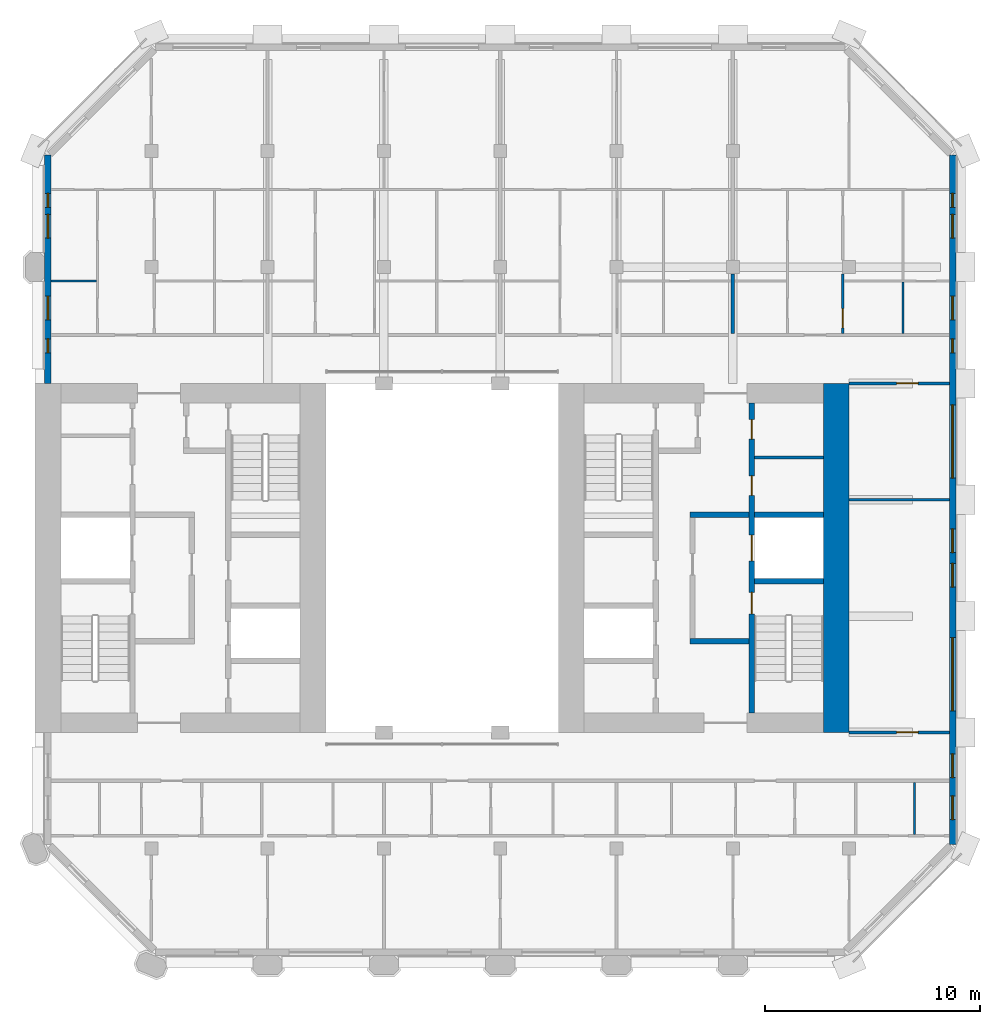
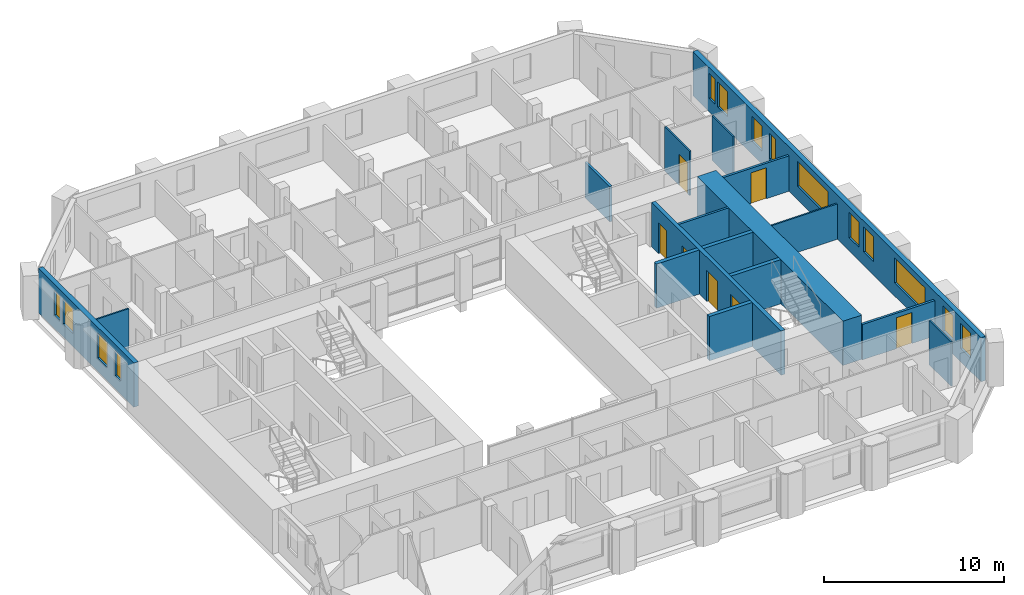
# One storey, part 7 of 13: 17 walls, 14 windows, 7 doors, 21 openings.
"""IFC4 building model written with IfcOpenShell, lengths in metres."""

from ifc_helpers import new_model, si_unit, direction, frame, frame_2d, origin, place, context, subcontext, project, spatial, rectangle, extrude, material, layer, layer_set, type_object, element, fill, save


model = new_model("IFC4")

# Units and contexts
model_context = context("Model", 3, precision=1e-05, world=origin(), true_north=direction((0.0, 1.0)))
body_context = subcontext(model_context, "Body", "Model", "MODEL_VIEW")
ifc_project = project(units=[si_unit("LENGTHUNIT", "METRE"), si_unit("AREAUNIT", "SQUARE_METRE"), si_unit("VOLUMEUNIT", "CUBIC_METRE"), si_unit("PLANEANGLEUNIT", "RADIAN"), si_unit("MASSUNIT", "GRAM", prefix="KILO")], contexts=[model_context])

# Site, building, storey
site_placement = place(None, origin())
site = spatial("IfcSite", under=ifc_project, at=site_placement, CompositionType="ELEMENT")
building_placement = place(site_placement, origin())
building = spatial("IfcBuilding", under=site, at=building_placement, Name="Tabaq Tower and Sports Hall", CompositionType="ELEMENT")
storey_placement = place(building_placement, frame((0.0, 0.0, 291.699951171875)))
storey = spatial("IfcBuildingStorey", under=building, at=storey_placement, Name="L72", CompositionType="ELEMENT", Elevation=291.699951171875)

# Walls
ifc_material_1 = material(Name="Blockwork", Category="masonry")
ifc_layer_1 = layer(ifc_material_1, 0.14990234375)
ifc_layer_set_1 = layer_set([ifc_layer_1], Name="Core room partition 150 Blockwork")
wall_type_1 = type_object("IfcWallType", Name="Core room partition 150 Blockwork", PredefinedType="PARTITIONING", material=ifc_layer_set_1)
wall_1_placement = place(storey_placement, frame((38.800048828125, 28.962890625, 0.0), z_axis=(0.0, 0.0, 1.0), x_axis=(1.0, 0.0, 0.0)))
element("IfcWall", 1, at=wall_1_placement, inside=storey, type_object=wall_type_1, Name="Core room partition E L72", PredefinedType="PARTITIONING", context=body_context, shape_type="SweptSolid", body=[
    extrude(rectangle(XDim=3.199951171875, YDim=0.14990234375, at=frame_2d((1.60009765625, 0.0))), origin(), (0.0, 0.0, 1.0), 3.0),
])
ifc_material_2 = material(Name="Concrete C40/50", Category="concrete")
ifc_layer_2 = layer(ifc_material_2, 1.199951171875)
ifc_layer_set_2 = layer_set([ifc_layer_2], Name="Core wall 1200 Concrete C40/50")
wall_type_2 = type_object("IfcWallType", Name="Core wall 1200 Concrete C40/50", PredefinedType="SOLIDWALL", material=ifc_layer_set_2)
wall_2_placement = place(storey_placement, frame((42.60009765625, 32.39990234375, 0.0), z_axis=(0.0, 0.0, 1.0), x_axis=(0.0, -1.0, 0.0)))
element("IfcWall", 2, at=wall_2_placement, inside=storey, type_object=wall_type_2, Name="Core wall E L72", PredefinedType="SOLIDWALL", context=body_context, shape_type="SweptSolid", body=[
    extrude(rectangle(XDim=16.199951171875, YDim=1.199951171875, at=frame_2d((8.10009765625, 0.0))), origin(), (0.0, 0.0, 1.0), 3.0),
])
ifc_material_3 = material(Name="Gypsum board on steel studs", Category="steel")
ifc_layer_3 = layer(ifc_material_3, 0.10009765625)
ifc_layer_set_3 = layer_set([ifc_layer_3], Name="Partition 100 Gypsum board")
wall_type_3 = type_object("IfcWallType", Name="Partition 100 Gypsum board", PredefinedType="PARTITIONING", material=ifc_layer_set_3)
wall_3_placement = place(storey_placement, frame((6.15087890625, 37.14990234375, 0.0), z_axis=(0.0, 0.0, 1.0), x_axis=(1.0, 0.0, 0.0)))
element("IfcWall", 3, at=wall_3_placement, inside=storey, type_object=wall_type_3, Name="Partition wall L72", PredefinedType="PARTITIONING", context=body_context, shape_type="SweptSolid", body=[
    extrude(rectangle(XDim=2.09912109375, YDim=0.10009765625, at=frame_2d((1.049560546875, 0.0))), origin(), (0.0, 0.0, 1.0), 3.0),
])

# Wall, opening, door
wall_4_placement = place(storey_placement, frame((42.89990234375, 34.72509765625, 0.0), z_axis=(0.0, 0.0, 1.0), x_axis=(0.0, 1.0, 0.0)))
wall_4 = element("IfcWall", 4, at=wall_4_placement, inside=storey, type_object=wall_type_3, Name="Partition wall L72", PredefinedType="PARTITIONING", context=body_context, shape_type="SweptSolid", body=[
    extrude(rectangle(XDim=2.7548828125, YDim=0.10009765625, at=frame_2d((1.37744140625, 0.0))), origin(), (0.0, 0.0, 1.0), 3.0),
])
opening_1_placement = place(wall_4_placement, frame((0.25, 0.0, 0.0)))
opening_1 = element("IfcOpeningElement", 5, at=opening_1_placement, cuts=wall_4, Name="Opening L72-015", PredefinedType="OPENING", context=body_context, shape_type="SweptSolid", body=[
    extrude(rectangle(XDim=0.89990234375, YDim=2.10009765625, at=frame_2d((0.449951171875, 1.050048828125))), frame((0.0, 0.050048828125, 0.0), z_axis=(0.0, -1.0, 0.0), x_axis=(1.0, 0.0, 0.0)), (0.0, 0.0, 1.0), 0.10009765625),
])
ifc_material_4 = material(Name="Timber leaf in steel frame", Category="steel")
door_type_1 = type_object("IfcDoorType", Name="Internal door 900 left hand", OperationType="SINGLE_SWING_LEFT", PredefinedType="DOOR", material=ifc_material_4)
door_1_placement = place(opening_1_placement, origin())
door_1 = element("IfcDoor", 6, at=door_1_placement, inside=storey, type_object=door_type_1, Name="Internal door L72-015", OperationType="SINGLE_SWING_LEFT", OverallHeight=2.10009765625, OverallWidth=0.89990234375, PredefinedType="DOOR", context=body_context, shape_type="SweptSolid", body=[
    extrude(rectangle(XDim=0.89990234375, YDim=2.10009765625, at=frame_2d((0.449951171875, 1.050048828125))), frame((0.0, 0.02490234375, 0.0), z_axis=(0.0, -1.0, 0.0), x_axis=(1.0, 0.0, 0.0)), (0.0, 0.0, 1.0), 0.050048828125),
])
fill(opening_1, door_1)

# Walls
wall_5_placement = place(storey_placement, frame((45.699951171875, 34.72509765625, 0.0), z_axis=(0.0, 0.0, 1.0), x_axis=(0.0, 1.0, 0.0)))
element("IfcWall", 7, at=wall_5_placement, inside=storey, type_object=wall_type_3, Name="Partition wall L72", PredefinedType="PARTITIONING", context=body_context, shape_type="SweptSolid", body=[
    extrude(rectangle(XDim=2.375, YDim=0.10009765625, at=frame_2d((1.1875, 0.0))), origin(), (0.0, 0.0, 1.0), 3.0),
])
wall_6_placement = place(storey_placement, frame((43.199951171875, 27.0, 0.0), z_axis=(0.0, 0.0, 1.0), x_axis=(1.0, 0.0, 0.0)))
element("IfcWall", 8, at=wall_6_placement, inside=storey, type_object=wall_type_3, Name="Partition wall L72", PredefinedType="PARTITIONING", context=body_context, shape_type="SweptSolid", body=[
    extrude(rectangle(XDim=4.649169921875, YDim=0.10009765625, at=frame_2d((2.32470703125, 0.0))), origin(), (0.0, 0.0, 1.0), 2.400146484375),
])
wall_7_placement = place(storey_placement, frame((46.239990234375, 11.449951171875, 0.0), z_axis=(0.0, 0.0, 1.0), x_axis=(0.0, 1.0, 0.0)))
element("IfcWall", 9, at=wall_7_placement, inside=storey, type_object=wall_type_3, Name="Partition wall L72", PredefinedType="PARTITIONING", context=body_context, shape_type="SweptSolid", body=[
    extrude(rectangle(XDim=2.425048828125, YDim=0.10009765625, at=frame_2d((1.21240234375, 0.0))), origin(), (0.0, 0.0, 1.0), 3.0),
])
ifc_material_5 = material(Name="Blockwork", Category="masonry")
ifc_layer_4 = layer(ifc_material_5, 0.14990234375)
ifc_layer_set_4 = layer_set([ifc_layer_4], Name="Separating wall 150 Blockwork")
wall_type_4 = type_object("IfcWallType", Name="Separating wall 150 Blockwork", PredefinedType="PARTITIONING", material=ifc_layer_set_4)
wall_8_placement = place(storey_placement, frame((37.800048828125, 34.72509765625, 0.0), z_axis=(0.0, 0.0, 1.0), x_axis=(0.0, 1.0, 0.0)))
element("IfcWall", 10, at=wall_8_placement, inside=storey, type_object=wall_type_4, Name="Separating wall L72", PredefinedType="PARTITIONING", context=body_context, shape_type="SweptSolid", body=[
    extrude(rectangle(XDim=2.7548828125, YDim=0.14990234375, at=frame_2d((1.37744140625, 0.0))), origin(), (0.0, 0.0, 1.0), 2.400146484375),
])

# Wall, opening, door
wall_9_placement = place(storey_placement, frame((47.84912109375, 32.39990234375, 0.0), z_axis=(0.0, 0.0, 1.0), x_axis=(-1.0, 0.0, 0.0)))
wall_9 = element("IfcWall", 11, at=wall_9_placement, inside=storey, type_object=wall_type_4, Name="Separating wall L72", PredefinedType="PARTITIONING", context=body_context, shape_type="SweptSolid", body=[
    extrude(rectangle(XDim=4.649169921875, YDim=0.14990234375, at=frame_2d((2.32470703125, 0.0))), origin(), (0.0, 0.0, 1.0), 2.400146484375),
])
opening_2_placement = place(wall_9_placement, frame((1.448974609375, 0.0, 0.0)))
opening_2 = element("IfcOpeningElement", 12, at=opening_2_placement, cuts=wall_9, Name="Opening L72-017", PredefinedType="OPENING", context=body_context, shape_type="SweptSolid", body=[
    extrude(rectangle(XDim=1.0, YDim=2.10009765625, at=frame_2d((0.5, 1.050048828125))), frame((0.0, 0.074951171875, 0.0), z_axis=(0.0, -1.0, 0.0), x_axis=(1.0, 0.0, 0.0)), (0.0, 0.0, 1.0), 0.14990234375),
])
ifc_material_6 = material(Name="Timber leaf in steel frame", Category="steel")
door_type_2 = type_object("IfcDoorType", Name="Internal door 1000 right hand", OperationType="SINGLE_SWING_RIGHT", PredefinedType="DOOR", material=ifc_material_6)
door_2_placement = place(opening_2_placement, origin())
door_2 = element("IfcDoor", 13, at=door_2_placement, inside=storey, type_object=door_type_2, Name="Internal door L72-017", OperationType="SINGLE_SWING_RIGHT", OverallHeight=2.10009765625, OverallWidth=1.0, PredefinedType="DOOR", context=body_context, shape_type="SweptSolid", body=[
    extrude(rectangle(XDim=1.0, YDim=2.10009765625, at=frame_2d((0.5, 1.050048828125))), frame((0.0, 0.02490234375, 0.0), z_axis=(0.0, -1.0, 0.0), x_axis=(1.0, 0.0, 0.0)), (0.0, 0.0, 1.0), 0.050048828125),
])
fill(opening_2, door_2)

wall_10_placement = place(storey_placement, frame((43.199951171875, 16.199951171875, 0.0), z_axis=(0.0, 0.0, 1.0), x_axis=(1.0, 0.0, 0.0)))
wall_10 = element("IfcWall", 14, at=wall_10_placement, inside=storey, type_object=wall_type_4, Name="Separating wall L72", PredefinedType="PARTITIONING", context=body_context, shape_type="SweptSolid", body=[
    extrude(rectangle(XDim=4.649169921875, YDim=0.14990234375, at=frame_2d((2.32470703125, 0.0))), origin(), (0.0, 0.0, 1.0), 2.400146484375),
])
opening_3_placement = place(wall_10_placement, frame((2.199951171875, 0.0, 0.0)))
opening_3 = element("IfcOpeningElement", 15, at=opening_3_placement, cuts=wall_10, Name="Opening L72-030", PredefinedType="OPENING", context=body_context, shape_type="SweptSolid", body=[
    extrude(rectangle(XDim=1.0, YDim=2.10009765625, at=frame_2d((0.5, 1.050048828125))), frame((0.0, 0.074951171875, 0.0), z_axis=(0.0, -1.0, 0.0), x_axis=(1.0, 0.0, 0.0)), (0.0, 0.0, 1.0), 0.14990234375),
])
door_3_placement = place(opening_3_placement, origin())
door_3 = element("IfcDoor", 16, at=door_3_placement, inside=storey, type_object=door_type_2, Name="Internal door L72-030", OperationType="SINGLE_SWING_RIGHT", OverallHeight=2.10009765625, OverallWidth=1.0, PredefinedType="DOOR", context=body_context, shape_type="SweptSolid", body=[
    extrude(rectangle(XDim=1.0, YDim=2.10009765625, at=frame_2d((0.5, 1.050048828125))), frame((0.0, 0.02490234375, 0.0), z_axis=(0.0, -1.0, 0.0), x_axis=(1.0, 0.0, 0.0)), (0.0, 0.0, 1.0), 0.050048828125),
])
fill(opening_3, door_3)

# Wall, openings, doors
ifc_material_7 = material(Name="Concrete C40/50", Category="concrete")
ifc_layer_5 = layer(ifc_material_7, 0.25)
ifc_layer_set_5 = layer_set([ifc_layer_5], Name="Shaft and stair wall 250 Concrete C40/50")
wall_type_5 = type_object("IfcWallType", Name="Shaft and stair wall 250 Concrete C40/50", PredefinedType="SOLIDWALL", material=ifc_layer_set_5)
wall_11_placement = place(storey_placement, frame((38.675048828125, 17.10009765625, 0.0), z_axis=(0.0, 0.0, 1.0), x_axis=(0.0, 1.0, 0.0)))
wall_11 = element("IfcWall", 17, at=wall_11_placement, inside=storey, type_object=wall_type_5, Name="Shaft wall E L72", PredefinedType="SOLIDWALL", context=body_context, shape_type="SweptSolid", body=[
    extrude(rectangle(XDim=14.39990234375, YDim=0.25, at=frame_2d((7.199951171875, 0.0))), origin(), (0.0, 0.0, 1.0), 3.0),
])
opening_4_placement = place(wall_11_placement, frame((4.60009765625, 0.0, 0.0)))
opening_4 = element("IfcOpeningElement", 18, at=opening_4_placement, cuts=wall_11, Name="Opening SD-EL72-03", PredefinedType="OPENING", context=body_context, shape_type="SweptSolid", body=[
    extrude(rectangle(XDim=1.0, YDim=2.10009765625, at=frame_2d((0.5, 1.050048828125))), frame((0.0, 0.125, 0.0), z_axis=(0.0, -1.0, 0.0), x_axis=(1.0, 0.0, 0.0)), (0.0, 0.0, 1.0), 0.25),
])
opening_5_placement = place(wall_11_placement, frame((7.0625, 0.0, 0.0)))
opening_5 = element("IfcOpeningElement", 19, at=opening_5_placement, cuts=wall_11, Name="Opening LD-FF2-L72", PredefinedType="OPENING", context=body_context, shape_type="SweptSolid", body=[
    extrude(rectangle(XDim=1.199951171875, YDim=2.10009765625, at=frame_2d((0.60009765625, 1.050048828125))), frame((0.0, 0.125, 0.0), z_axis=(0.0, -1.0, 0.0), x_axis=(1.0, 0.0, 0.0)), (0.0, 0.0, 1.0), 0.25),
])
opening_6_placement = place(wall_11_placement, frame((10.1064453125, 0.0, 0.0)))
opening_6 = element("IfcOpeningElement", 20, at=opening_6_placement, cuts=wall_11, Name="Opening RD-EL72-09", PredefinedType="OPENING", context=body_context, shape_type="SweptSolid", body=[
    extrude(rectangle(XDim=0.89990234375, YDim=2.10009765625, at=frame_2d((0.449951171875, 1.050048828125))), frame((0.0, 0.125, 0.0), z_axis=(0.0, -1.0, 0.0), x_axis=(1.0, 0.0, 0.0)), (0.0, 0.0, 1.0), 0.25),
])
opening_7_placement = place(wall_11_placement, frame((12.718994140625, 0.0, 0.0)))
opening_7 = element("IfcOpeningElement", 21, at=opening_7_placement, cuts=wall_11, Name="Opening RD-EL72-10", PredefinedType="OPENING", context=body_context, shape_type="SweptSolid", body=[
    extrude(rectangle(XDim=0.89990234375, YDim=2.10009765625, at=frame_2d((0.449951171875, 1.050048828125))), frame((0.0, 0.125, 0.0), z_axis=(0.0, -1.0, 0.0), x_axis=(1.0, 0.0, 0.0)), (0.0, 0.0, 1.0), 0.25),
])
ifc_material_8 = material(Name="Steel fire door", Category="steel")
door_type_3 = type_object("IfcDoorType", Name="Core room door 900", OperationType="SINGLE_SWING_LEFT", PredefinedType="DOOR", material=ifc_material_8)
door_4_placement = place(opening_6_placement, origin())
door_4 = element("IfcDoor", 22, at=door_4_placement, inside=storey, type_object=door_type_3, Name="Door Electrical Room E L72", OperationType="SINGLE_SWING_LEFT", OverallHeight=2.10009765625, OverallWidth=0.89990234375, PredefinedType="DOOR", context=body_context, shape_type="SweptSolid", body=[
    extrude(rectangle(XDim=0.89990234375, YDim=2.10009765625, at=frame_2d((0.449951171875, 1.050048828125))), frame((0.0, 0.02490234375, 0.0), z_axis=(0.0, -1.0, 0.0), x_axis=(1.0, 0.0, 0.0)), (0.0, 0.0, 1.0), 0.050048828125),
])
fill(opening_6, door_4)
door_5_placement = place(opening_7_placement, origin())
door_5 = element("IfcDoor", 23, at=door_5_placement, inside=storey, type_object=door_type_3, Name="Door Comms Room E L72", OperationType="SINGLE_SWING_LEFT", OverallHeight=2.10009765625, OverallWidth=0.89990234375, PredefinedType="DOOR", context=body_context, shape_type="SweptSolid", body=[
    extrude(rectangle(XDim=0.89990234375, YDim=2.10009765625, at=frame_2d((0.449951171875, 1.050048828125))), frame((0.0, 0.02490234375, 0.0), z_axis=(0.0, -1.0, 0.0), x_axis=(1.0, 0.0, 0.0)), (0.0, 0.0, 1.0), 0.050048828125),
])
fill(opening_7, door_5)
ifc_material_9 = material(Name="Stainless steel", Category="steel")
door_type_4 = type_object("IfcDoorType", Name="Lift landing door 1200", OperationType="DOUBLE_DOOR_SLIDING", PredefinedType="DOOR", material=ifc_material_9)
door_6_placement = place(opening_5_placement, origin())
door_6 = element("IfcDoor", 24, at=door_6_placement, inside=storey, type_object=door_type_4, Name="Lift landing door FF2 E L72", OperationType="DOUBLE_DOOR_SLIDING", OverallHeight=2.10009765625, OverallWidth=1.199951171875, PredefinedType="DOOR", context=body_context, shape_type="SweptSolid", body=[
    extrude(rectangle(XDim=1.199951171875, YDim=2.10009765625, at=frame_2d((0.60009765625, 1.050048828125))), frame((0.0, 0.02490234375, 0.0), z_axis=(0.0, -1.0, 0.0), x_axis=(1.0, 0.0, 0.0)), (0.0, 0.0, 1.0), 0.050048828125),
])
fill(opening_5, door_6)
ifc_material_10 = material(Name="Steel fire door", Category="steel")
door_type_5 = type_object("IfcDoorType", Name="Stair door 1000", OperationType="SINGLE_SWING_LEFT", PredefinedType="DOOR", material=ifc_material_10)
door_7_placement = place(opening_4_placement, origin())
door_7 = element("IfcDoor", 25, at=door_7_placement, inside=storey, type_object=door_type_5, Name="Stair door ST3 E L72", OperationType="SINGLE_SWING_LEFT", OverallHeight=2.10009765625, OverallWidth=1.0, PredefinedType="DOOR", context=body_context, shape_type="SweptSolid", body=[
    extrude(rectangle(XDim=1.0, YDim=2.10009765625, at=frame_2d((0.5, 1.050048828125))), frame((0.0, 0.02490234375, 0.0), z_axis=(0.0, -1.0, 0.0), x_axis=(1.0, 0.0, 0.0)), (0.0, 0.0, 1.0), 0.050048828125),
])
fill(opening_4, door_7)

# Walls
for number, where, z_axis, x_axis, name in (
    (26, (38.800048828125, 23.22509765625, 0.0), (0.0, 0.0, 1.0), (1.0, 0.0, 0.0), "Stair enclosure wall E L72"),
    (27, (38.800048828125, 26.300048828125, 0.0), (0.0, 0.0, 1.0), (1.0, 0.0, 0.0), "Shaft wall E L72"),
):
    element("IfcWall", number, at=place(storey_placement, frame(where, z_axis=z_axis, x_axis=x_axis)), inside=storey, type_object=wall_type_5, Name=name, PredefinedType="SOLIDWALL", context=body_context, shape_type="SweptSolid", body=[
        extrude(rectangle(XDim=3.199951171875, YDim=0.25, at=frame_2d((1.60009765625, 0.0))), origin(), (0.0, 0.0, 1.0), 3.0),
    ])
for number, where, z_axis, x_axis, name in (
    (28, (35.800048828125, 26.300048828125, 0.0), (0.0, 0.0, 1.0), (1.0, 0.0, 0.0), "Fire-fighting lobby wall E L72"),
    (29, (35.800048828125, 20.425048828125, 0.0), (0.0, 0.0, 1.0), (1.0, 0.0, 0.0), "Fire-fighting lobby wall E L72"),
):
    element("IfcWall", number, at=place(storey_placement, frame(where, z_axis=z_axis, x_axis=x_axis)), inside=storey, type_object=wall_type_5, Name=name, PredefinedType="SOLIDWALL", context=body_context, shape_type="SweptSolid", body=[
        extrude(rectangle(XDim=2.75, YDim=0.25, at=frame_2d((1.375, 0.0))), origin(), (0.0, 0.0, 1.0), 3.0),
    ])

# Wall, openings, windows
ifc_material_11 = material(Name="White precast concrete C60/75", Category="concrete")
ifc_layer_6 = layer(ifc_material_11, 0.300048828125)
ifc_layer_set_6 = layer_set([ifc_layer_6], Name="White precast concrete C60/75 external wall 300")
wall_type_6 = type_object("IfcWallType", Name="White precast concrete C60/75 external wall 300", PredefinedType="SOLIDWALL", material=ifc_layer_set_6)
wall_12_placement = place(storey_placement, frame((48.0, 10.986328125, 0.0), z_axis=(0.0, 0.0, 1.0), x_axis=(0.0, 1.0, 0.0)))
wall_12 = element("IfcWall", 30, at=wall_12_placement, inside=storey, type_object=wall_type_6, Name="External Wall L72 E", PredefinedType="SOLIDWALL", context=body_context, shape_type="SweptSolid", body=[
    extrude(rectangle(XDim=32.02734375, YDim=0.300048828125, at=frame_2d((16.013671875, 0.0))), origin(), (0.0, 0.0, 1.0), 3.0),
])
opening_8_placement = place(wall_12_placement, frame((1.16357421875, 0.0, 0.89990234375)))
opening_8 = element("IfcOpeningElement", 31, at=opening_8_placement, cuts=wall_12, Name="Opening W1B", PredefinedType="OPENING", context=body_context, shape_type="SweptSolid", body=[
    extrude(rectangle(XDim=1.10009765625, YDim=1.699951171875, at=frame_2d((0.550048828125, 0.85009765625))), frame((0.0, 0.16015625, 0.0), z_axis=(0.0, -1.0, 0.0), x_axis=(1.0, 0.0, 0.0)), (0.0, 0.0, 1.0), 0.320068359375),
])
opening_9_placement = place(wall_12_placement, frame((3.113525390625, 0.0, 0.89990234375)))
opening_9 = element("IfcOpeningElement", 32, at=opening_9_placement, cuts=wall_12, Name="Opening W1B", PredefinedType="OPENING", context=body_context, shape_type="SweptSolid", body=[
    extrude(rectangle(XDim=1.10009765625, YDim=1.699951171875, at=frame_2d((0.550048828125, 0.85009765625))), frame((0.0, 0.16015625, 0.0), z_axis=(0.0, -1.0, 0.0), x_axis=(1.0, 0.0, 0.0)), (0.0, 0.0, 1.0), 0.320068359375),
])
opening_10_placement = place(wall_12_placement, frame((6.213623046875, 0.0, 0.89990234375)))
opening_10 = element("IfcOpeningElement", 33, at=opening_10_placement, cuts=wall_12, Name="Opening W1A", PredefinedType="OPENING", context=body_context, shape_type="SweptSolid", body=[
    extrude(rectangle(XDim=3.39990234375, YDim=1.699951171875, at=frame_2d((1.699951171875, 0.85009765625))), frame((0.0, 0.16015625, 0.0), z_axis=(0.0, -1.0, 0.0), x_axis=(1.0, 0.0, 0.0)), (0.0, 0.0, 1.0), 0.320068359375),
])
opening_11_placement = place(wall_12_placement, frame((11.963623046875, 0.0, 0.89990234375)))
opening_11 = element("IfcOpeningElement", 34, at=opening_11_placement, cuts=wall_12, Name="Opening W1B", PredefinedType="OPENING", context=body_context, shape_type="SweptSolid", body=[
    extrude(rectangle(XDim=1.10009765625, YDim=1.699951171875, at=frame_2d((0.550048828125, 0.85009765625))), frame((0.0, 0.16015625, 0.0), z_axis=(0.0, -1.0, 0.0), x_axis=(1.0, 0.0, 0.0)), (0.0, 0.0, 1.0), 0.320068359375),
])
opening_12_placement = place(wall_12_placement, frame((13.563720703125, 0.0, 0.89990234375)))
opening_12 = element("IfcOpeningElement", 35, at=opening_12_placement, cuts=wall_12, Name="Opening W1B", PredefinedType="OPENING", context=body_context, shape_type="SweptSolid", body=[
    extrude(rectangle(XDim=1.10009765625, YDim=1.699951171875, at=frame_2d((0.550048828125, 0.85009765625))), frame((0.0, 0.16015625, 0.0), z_axis=(0.0, -1.0, 0.0), x_axis=(1.0, 0.0, 0.0)), (0.0, 0.0, 1.0), 0.320068359375),
])
opening_13_placement = place(wall_12_placement, frame((17.013671875, 0.0, 0.89990234375)))
opening_13 = element("IfcOpeningElement", 36, at=opening_13_placement, cuts=wall_12, Name="Opening W1A", PredefinedType="OPENING", context=body_context, shape_type="SweptSolid", body=[
    extrude(rectangle(XDim=3.39990234375, YDim=1.699951171875, at=frame_2d((1.699951171875, 0.85009765625))), frame((0.0, 0.16015625, 0.0), z_axis=(0.0, -1.0, 0.0), x_axis=(1.0, 0.0, 0.0)), (0.0, 0.0, 1.0), 0.320068359375),
])
opening_14_placement = place(wall_12_placement, frame((22.838623046875, 0.0, 0.89990234375)))
opening_14 = element("IfcOpeningElement", 37, at=opening_14_placement, cuts=wall_12, Name="Opening W1C", PredefinedType="OPENING", context=body_context, shape_type="SweptSolid", body=[
    extrude(rectangle(XDim=0.64990234375, YDim=1.699951171875, at=frame_2d((0.324951171875, 0.85009765625))), frame((0.0, 0.16015625, 0.0), z_axis=(0.0, -1.0, 0.0), x_axis=(1.0, 0.0, 0.0)), (0.0, 0.0, 1.0), 0.320068359375),
])
opening_15_placement = place(wall_12_placement, frame((24.363525390625, 0.0, 0.89990234375)))
opening_15 = element("IfcOpeningElement", 38, at=opening_15_placement, cuts=wall_12, Name="Opening W1B", PredefinedType="OPENING", context=body_context, shape_type="SweptSolid", body=[
    extrude(rectangle(XDim=1.10009765625, YDim=1.699951171875, at=frame_2d((0.550048828125, 0.85009765625))), frame((0.0, 0.16015625, 0.0), z_axis=(0.0, -1.0, 0.0), x_axis=(1.0, 0.0, 0.0)), (0.0, 0.0, 1.0), 0.320068359375),
])
opening_16_placement = place(wall_12_placement, frame((28.16357421875, 0.0, 0.89990234375)))
opening_16 = element("IfcOpeningElement", 39, at=opening_16_placement, cuts=wall_12, Name="Opening W1B", PredefinedType="OPENING", context=body_context, shape_type="SweptSolid", body=[
    extrude(rectangle(XDim=1.10009765625, YDim=1.699951171875, at=frame_2d((0.550048828125, 0.85009765625))), frame((0.0, 0.16015625, 0.0), z_axis=(0.0, -1.0, 0.0), x_axis=(1.0, 0.0, 0.0)), (0.0, 0.0, 1.0), 0.320068359375),
])
opening_17_placement = place(wall_12_placement, frame((29.588623046875, 0.0, 0.89990234375)))
opening_17 = element("IfcOpeningElement", 40, at=opening_17_placement, cuts=wall_12, Name="Opening W1C", PredefinedType="OPENING", context=body_context, shape_type="SweptSolid", body=[
    extrude(rectangle(XDim=0.64990234375, YDim=1.699951171875, at=frame_2d((0.324951171875, 0.85009765625))), frame((0.0, 0.16015625, 0.0), z_axis=(0.0, -1.0, 0.0), x_axis=(1.0, 0.0, 0.0)), (0.0, 0.0, 1.0), 0.320068359375),
])
ifc_material_12 = material(Name="Aluminium framed clear glazing", Category="aluminium")
window_type_1 = type_object("IfcWindowType", Name="Window W1A", PartitioningType="SINGLE_PANEL", PredefinedType="WINDOW", material=ifc_material_12)
window_1_placement = place(opening_10_placement, origin())
window_1 = element("IfcWindow", 41, at=window_1_placement, inside=storey, type_object=window_type_1, Name="Window W1A L72", OverallHeight=1.699951171875, OverallWidth=3.39990234375, PartitioningType="SINGLE_PANEL", PredefinedType="WINDOW", context=body_context, shape_type="SweptSolid", body=[
    extrude(rectangle(XDim=3.39990234375, YDim=1.699951171875, at=frame_2d((1.699951171875, 0.85009765625))), frame((0.0, 0.030029296875, 0.0), z_axis=(0.0, -1.0, 0.0), x_axis=(1.0, 0.0, 0.0)), (0.0, 0.0, 1.0), 0.06005859375),
])
fill(opening_10, window_1)
window_2_placement = place(opening_13_placement, origin())
window_2 = element("IfcWindow", 42, at=window_2_placement, inside=storey, type_object=window_type_1, Name="Window W1A L72", OverallHeight=1.699951171875, OverallWidth=3.39990234375, PartitioningType="SINGLE_PANEL", PredefinedType="WINDOW", context=body_context, shape_type="SweptSolid", body=[
    extrude(rectangle(XDim=3.39990234375, YDim=1.699951171875, at=frame_2d((1.699951171875, 0.85009765625))), frame((0.0, 0.030029296875, 0.0), z_axis=(0.0, -1.0, 0.0), x_axis=(1.0, 0.0, 0.0)), (0.0, 0.0, 1.0), 0.06005859375),
])
fill(opening_13, window_2)
ifc_material_13 = material(Name="Aluminium framed clear glazing", Category="aluminium")
window_type_2 = type_object("IfcWindowType", Name="Window W1B", PartitioningType="SINGLE_PANEL", PredefinedType="WINDOW", material=ifc_material_13)
window_3_placement = place(opening_8_placement, origin())
window_3 = element("IfcWindow", 43, at=window_3_placement, inside=storey, type_object=window_type_2, Name="Window W1B L72", OverallHeight=1.699951171875, OverallWidth=1.10009765625, PartitioningType="SINGLE_PANEL", PredefinedType="WINDOW", context=body_context, shape_type="SweptSolid", body=[
    extrude(rectangle(XDim=1.10009765625, YDim=1.699951171875, at=frame_2d((0.550048828125, 0.85009765625))), frame((0.0, 0.030029296875, 0.0), z_axis=(0.0, -1.0, 0.0), x_axis=(1.0, 0.0, 0.0)), (0.0, 0.0, 1.0), 0.06005859375),
])
fill(opening_8, window_3)
window_4_placement = place(opening_9_placement, origin())
window_4 = element("IfcWindow", 44, at=window_4_placement, inside=storey, type_object=window_type_2, Name="Window W1B L72", OverallHeight=1.699951171875, OverallWidth=1.10009765625, PartitioningType="SINGLE_PANEL", PredefinedType="WINDOW", context=body_context, shape_type="SweptSolid", body=[
    extrude(rectangle(XDim=1.10009765625, YDim=1.699951171875, at=frame_2d((0.550048828125, 0.85009765625))), frame((0.0, 0.030029296875, 0.0), z_axis=(0.0, -1.0, 0.0), x_axis=(1.0, 0.0, 0.0)), (0.0, 0.0, 1.0), 0.06005859375),
])
fill(opening_9, window_4)
window_5_placement = place(opening_11_placement, origin())
window_5 = element("IfcWindow", 45, at=window_5_placement, inside=storey, type_object=window_type_2, Name="Window W1B L72", OverallHeight=1.699951171875, OverallWidth=1.10009765625, PartitioningType="SINGLE_PANEL", PredefinedType="WINDOW", context=body_context, shape_type="SweptSolid", body=[
    extrude(rectangle(XDim=1.10009765625, YDim=1.699951171875, at=frame_2d((0.550048828125, 0.85009765625))), frame((0.0, 0.030029296875, 0.0), z_axis=(0.0, -1.0, 0.0), x_axis=(1.0, 0.0, 0.0)), (0.0, 0.0, 1.0), 0.06005859375),
])
fill(opening_11, window_5)
window_6_placement = place(opening_12_placement, origin())
window_6 = element("IfcWindow", 46, at=window_6_placement, inside=storey, type_object=window_type_2, Name="Window W1B L72", OverallHeight=1.699951171875, OverallWidth=1.10009765625, PartitioningType="SINGLE_PANEL", PredefinedType="WINDOW", context=body_context, shape_type="SweptSolid", body=[
    extrude(rectangle(XDim=1.10009765625, YDim=1.699951171875, at=frame_2d((0.550048828125, 0.85009765625))), frame((0.0, 0.030029296875, 0.0), z_axis=(0.0, -1.0, 0.0), x_axis=(1.0, 0.0, 0.0)), (0.0, 0.0, 1.0), 0.06005859375),
])
fill(opening_12, window_6)
window_7_placement = place(opening_15_placement, origin())
window_7 = element("IfcWindow", 47, at=window_7_placement, inside=storey, type_object=window_type_2, Name="Window W1B L72", OverallHeight=1.699951171875, OverallWidth=1.10009765625, PartitioningType="SINGLE_PANEL", PredefinedType="WINDOW", context=body_context, shape_type="SweptSolid", body=[
    extrude(rectangle(XDim=1.10009765625, YDim=1.699951171875, at=frame_2d((0.550048828125, 0.85009765625))), frame((0.0, 0.030029296875, 0.0), z_axis=(0.0, -1.0, 0.0), x_axis=(1.0, 0.0, 0.0)), (0.0, 0.0, 1.0), 0.06005859375),
])
fill(opening_15, window_7)
window_8_placement = place(opening_16_placement, origin())
window_8 = element("IfcWindow", 48, at=window_8_placement, inside=storey, type_object=window_type_2, Name="Window W1B L72", OverallHeight=1.699951171875, OverallWidth=1.10009765625, PartitioningType="SINGLE_PANEL", PredefinedType="WINDOW", context=body_context, shape_type="SweptSolid", body=[
    extrude(rectangle(XDim=1.10009765625, YDim=1.699951171875, at=frame_2d((0.550048828125, 0.85009765625))), frame((0.0, 0.030029296875, 0.0), z_axis=(0.0, -1.0, 0.0), x_axis=(1.0, 0.0, 0.0)), (0.0, 0.0, 1.0), 0.06005859375),
])
fill(opening_16, window_8)
ifc_material_14 = material(Name="Aluminium framed clear glazing", Category="aluminium")
window_type_3 = type_object("IfcWindowType", Name="Window W1C", PartitioningType="SINGLE_PANEL", PredefinedType="WINDOW", material=ifc_material_14)
window_9_placement = place(opening_14_placement, origin())
window_9 = element("IfcWindow", 49, at=window_9_placement, inside=storey, type_object=window_type_3, Name="Window W1C L72", OverallHeight=1.699951171875, OverallWidth=0.64990234375, PartitioningType="SINGLE_PANEL", PredefinedType="WINDOW", context=body_context, shape_type="SweptSolid", body=[
    extrude(rectangle(XDim=0.64990234375, YDim=1.699951171875, at=frame_2d((0.324951171875, 0.85009765625))), frame((0.0, 0.030029296875, 0.0), z_axis=(0.0, -1.0, 0.0), x_axis=(1.0, 0.0, 0.0)), (0.0, 0.0, 1.0), 0.06005859375),
])
fill(opening_14, window_9)
window_10_placement = place(opening_17_placement, origin())
window_10 = element("IfcWindow", 50, at=window_10_placement, inside=storey, type_object=window_type_3, Name="Window W1C L72", OverallHeight=1.699951171875, OverallWidth=0.64990234375, PartitioningType="SINGLE_PANEL", PredefinedType="WINDOW", context=body_context, shape_type="SweptSolid", body=[
    extrude(rectangle(XDim=0.64990234375, YDim=1.699951171875, at=frame_2d((0.324951171875, 0.85009765625))), frame((0.0, 0.030029296875, 0.0), z_axis=(0.0, -1.0, 0.0), x_axis=(1.0, 0.0, 0.0)), (0.0, 0.0, 1.0), 0.06005859375),
])
fill(opening_17, window_10)

wall_13_placement = place(storey_placement, frame((6.0, 43.013671875, 0.0), z_axis=(0.0, 0.0, 1.0), x_axis=(0.0, -1.0, 0.0)))
wall_13 = element("IfcWall", 51, at=wall_13_placement, inside=storey, type_object=wall_type_6, Name="External Wall L72 W", PredefinedType="SOLIDWALL", context=body_context, shape_type="SweptSolid", body=[
    extrude(rectangle(XDim=10.61376953125, YDim=0.300048828125, at=frame_2d((5.306884765625, 0.0))), origin(), (0.0, 0.0, 1.0), 3.0),
])
opening_18_placement = place(wall_13_placement, frame((1.78857421875, 0.0, 0.89990234375)))
opening_18 = element("IfcOpeningElement", 52, at=opening_18_placement, cuts=wall_13, Name="Opening W1C", PredefinedType="OPENING", context=body_context, shape_type="SweptSolid", body=[
    extrude(rectangle(XDim=0.64990234375, YDim=1.699951171875, at=frame_2d((0.324951171875, 0.85009765625))), frame((0.0, 0.16015625, 0.0), z_axis=(0.0, -1.0, 0.0), x_axis=(1.0, 0.0, 0.0)), (0.0, 0.0, 1.0), 0.320068359375),
])
opening_19_placement = place(wall_13_placement, frame((2.763671875, 0.0, 0.89990234375)))
opening_19 = element("IfcOpeningElement", 53, at=opening_19_placement, cuts=wall_13, Name="Opening W1B", PredefinedType="OPENING", context=body_context, shape_type="SweptSolid", body=[
    extrude(rectangle(XDim=1.10009765625, YDim=1.699951171875, at=frame_2d((0.550048828125, 0.85009765625))), frame((0.0, 0.16015625, 0.0), z_axis=(0.0, -1.0, 0.0), x_axis=(1.0, 0.0, 0.0)), (0.0, 0.0, 1.0), 0.320068359375),
])
opening_20_placement = place(wall_13_placement, frame((6.563720703125, 0.0, 0.89990234375)))
opening_20 = element("IfcOpeningElement", 54, at=opening_20_placement, cuts=wall_13, Name="Opening W1B", PredefinedType="OPENING", context=body_context, shape_type="SweptSolid", body=[
    extrude(rectangle(XDim=1.10009765625, YDim=1.699951171875, at=frame_2d((0.550048828125, 0.85009765625))), frame((0.0, 0.16015625, 0.0), z_axis=(0.0, -1.0, 0.0), x_axis=(1.0, 0.0, 0.0)), (0.0, 0.0, 1.0), 0.320068359375),
])
opening_21_placement = place(wall_13_placement, frame((8.53857421875, 0.0, 0.89990234375)))
opening_21 = element("IfcOpeningElement", 55, at=opening_21_placement, cuts=wall_13, Name="Opening W1C", PredefinedType="OPENING", context=body_context, shape_type="SweptSolid", body=[
    extrude(rectangle(XDim=0.64990234375, YDim=1.699951171875, at=frame_2d((0.324951171875, 0.85009765625))), frame((0.0, 0.16015625, 0.0), z_axis=(0.0, -1.0, 0.0), x_axis=(1.0, 0.0, 0.0)), (0.0, 0.0, 1.0), 0.320068359375),
])
window_11_placement = place(opening_19_placement, origin())
window_11 = element("IfcWindow", 56, at=window_11_placement, inside=storey, type_object=window_type_2, Name="Window W1B L72", OverallHeight=1.699951171875, OverallWidth=1.10009765625, PartitioningType="SINGLE_PANEL", PredefinedType="WINDOW", context=body_context, shape_type="SweptSolid", body=[
    extrude(rectangle(XDim=1.10009765625, YDim=1.699951171875, at=frame_2d((0.550048828125, 0.85009765625))), frame((0.0, 0.030029296875, 0.0), z_axis=(0.0, -1.0, 0.0), x_axis=(1.0, 0.0, 0.0)), (0.0, 0.0, 1.0), 0.06005859375),
])
fill(opening_19, window_11)
window_12_placement = place(opening_20_placement, origin())
window_12 = element("IfcWindow", 57, at=window_12_placement, inside=storey, type_object=window_type_2, Name="Window W1B L72", OverallHeight=1.699951171875, OverallWidth=1.10009765625, PartitioningType="SINGLE_PANEL", PredefinedType="WINDOW", context=body_context, shape_type="SweptSolid", body=[
    extrude(rectangle(XDim=1.10009765625, YDim=1.699951171875, at=frame_2d((0.550048828125, 0.85009765625))), frame((0.0, 0.030029296875, 0.0), z_axis=(0.0, -1.0, 0.0), x_axis=(1.0, 0.0, 0.0)), (0.0, 0.0, 1.0), 0.06005859375),
])
fill(opening_20, window_12)
window_13_placement = place(opening_18_placement, origin())
window_13 = element("IfcWindow", 58, at=window_13_placement, inside=storey, type_object=window_type_3, Name="Window W1C L72", OverallHeight=1.699951171875, OverallWidth=0.64990234375, PartitioningType="SINGLE_PANEL", PredefinedType="WINDOW", context=body_context, shape_type="SweptSolid", body=[
    extrude(rectangle(XDim=0.64990234375, YDim=1.699951171875, at=frame_2d((0.324951171875, 0.85009765625))), frame((0.0, 0.030029296875, 0.0), z_axis=(0.0, -1.0, 0.0), x_axis=(1.0, 0.0, 0.0)), (0.0, 0.0, 1.0), 0.06005859375),
])
fill(opening_18, window_13)
window_14_placement = place(opening_21_placement, origin())
window_14 = element("IfcWindow", 59, at=window_14_placement, inside=storey, type_object=window_type_3, Name="Window W1C L72", OverallHeight=1.699951171875, OverallWidth=0.64990234375, PartitioningType="SINGLE_PANEL", PredefinedType="WINDOW", context=body_context, shape_type="SweptSolid", body=[
    extrude(rectangle(XDim=0.64990234375, YDim=1.699951171875, at=frame_2d((0.324951171875, 0.85009765625))), frame((0.0, 0.030029296875, 0.0), z_axis=(0.0, -1.0, 0.0), x_axis=(1.0, 0.0, 0.0)), (0.0, 0.0, 1.0), 0.06005859375),
])
fill(opening_21, window_14)

save(model, "model.ifc")
